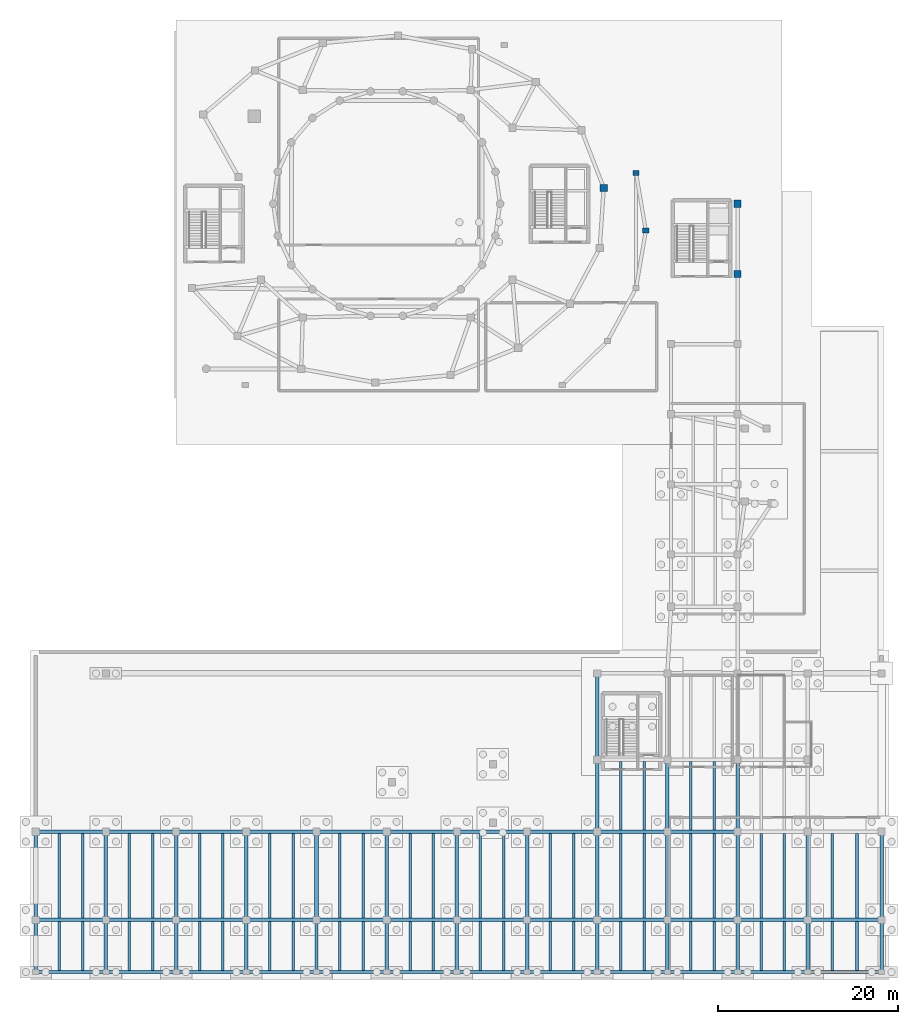
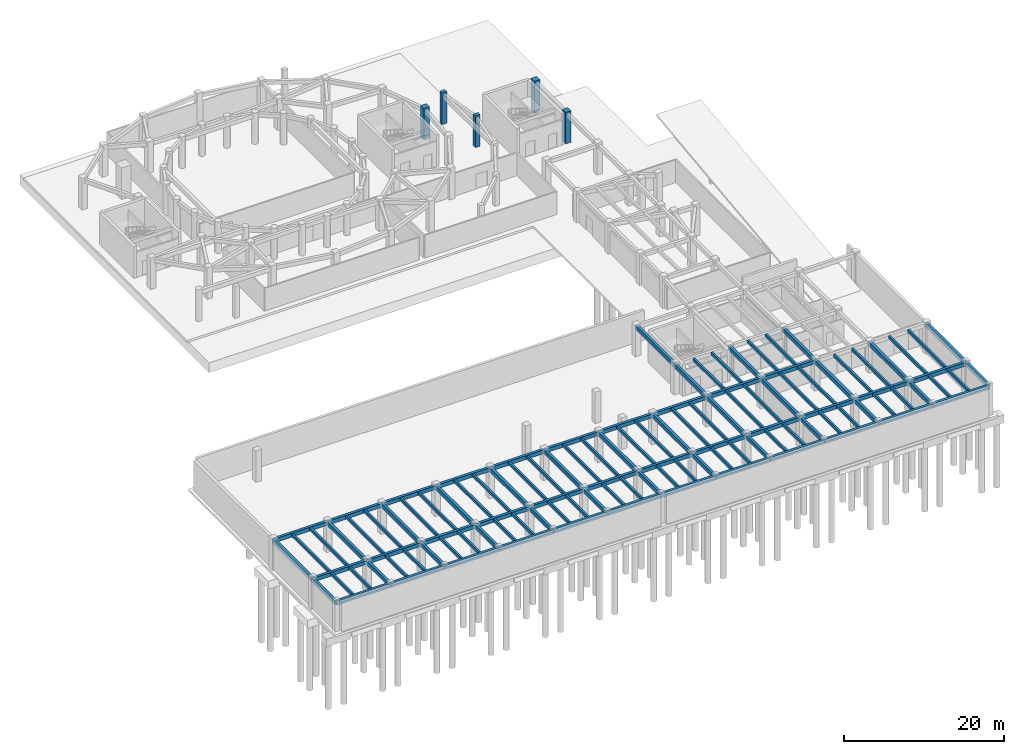
# One storey, part 3 of 11: 116 beams, 5 columns.
"""IFC4 building model written with IfcOpenShell, lengths in metres."""

from ifc_helpers import new_model, si_unit, direction, frame, origin, origin_2d, place, context, subcontext, project, spatial, rectangle, extrude, material, material_profile, profile_set, type_object, element, save


model = new_model("IFC4")

# Units and contexts
model_context = context("Model", 3, precision=1e-05, world=origin(), true_north=direction((0.0, 1.0)))
body_context = subcontext(model_context, "Body", "Model", "MODEL_VIEW")
ifc_project = project(units=[si_unit("LENGTHUNIT", "METRE"), si_unit("AREAUNIT", "SQUARE_METRE"), si_unit("VOLUMEUNIT", "CUBIC_METRE"), si_unit("PLANEANGLEUNIT", "RADIAN"), si_unit("MASSUNIT", "GRAM", prefix="KILO")], contexts=[model_context])

# Site, building, storey
site_placement = place(None, origin())
site = spatial("IfcSite", under=ifc_project, at=site_placement, CompositionType="ELEMENT")
building_placement = place(site_placement, origin())
building = spatial("IfcBuilding", under=site, at=building_placement, Name="Pelvatis Terrace Science Centre", CompositionType="ELEMENT")
storey_placement = place(building_placement, frame((0.0, 0.0, -4.800048828125)))
storey = spatial("IfcBuildingStorey", under=building, at=storey_placement, Name="B01", CompositionType="ELEMENT", Elevation=-4.800048828125)

# Columns
ifc_material_1 = material(Name="Concrete C40/50", Category="concrete")
ifc_material_profile_1 = material_profile(ifc_material_1, rectangle(XDim=0.699951171875, YDim=0.550048828125, at=origin_2d()), Name="RC-COL 700x550")
ifc_profile_set_1 = profile_set([ifc_material_profile_1], Name="Concrete C40/50")
column_type_1 = type_object("IfcColumnType", Name="COL-RC-700x550", PredefinedType="COLUMN", material=ifc_profile_set_1)
for number, where, z_axis, x_axis, name in (
    (1, (138.0, 82.800048828125, 0.0), (0.0, 0.0, 1.0), (1.0, 0.0, 0.0), "Column V1E-ST-01 (B01)"),
    (2, (136.910400390625, 89.1953125, 0.0), (0.0, 0.0, 1.0), (1.0, 0.0, 0.0), "Column V1E-ST-02 (B01)"),
):
    element("IfcColumn", number, at=place(storey_placement, frame(where, z_axis=z_axis, x_axis=x_axis)), inside=storey, type_object=column_type_1, Name=name, PredefinedType="COLUMN", context=body_context, shape_type="SweptSolid", body=[
        extrude(rectangle(XDim=0.699951171875, YDim=0.550048828125, at=origin_2d()), origin(), (0.0, 0.0, 1.0), 4.800048828125),
    ])
ifc_material_2 = material(Name="Concrete C40/50", Category="concrete")
ifc_material_profile_2 = material_profile(ifc_material_2, rectangle(XDim=0.800048828125, YDim=0.800048828125, at=origin_2d()), Name="RC-COL 800x800")
ifc_profile_set_2 = profile_set([ifc_material_profile_2], Name="Concrete C40/50")
column_type_2 = type_object("IfcColumnType", Name="COL-RC-800x800", PredefinedType="COLUMN", material=ifc_profile_set_2)
for number, where, z_axis, x_axis, name in (
    (3, (133.31884765625, 87.552001953125, 0.0), (0.0, 0.0, 1.0), (1.0, 0.0, 0.0), "Column V1E-RF-01 (B01)"),
    (4, (148.199951171875, 78.0, 0.0), (0.0, 0.0, 1.0), (1.0, 0.0, 0.0), "Column V5G-E-3-6 (B01)"),
    (5, (148.199951171875, 85.800048828125, 0.0), (0.0, 0.0, 1.0), (1.0, 0.0, 0.0), "Column V5G-E-3-7 (B01)"),
):
    element("IfcColumn", number, at=place(storey_placement, frame(where, z_axis=z_axis, x_axis=x_axis)), inside=storey, type_object=column_type_2, Name=name, PredefinedType="COLUMN", context=body_context, shape_type="SweptSolid", body=[
        extrude(rectangle(XDim=0.800048828125, YDim=0.800048828125, at=origin_2d()), origin(), (0.0, 0.0, 1.0), 4.800048828125),
    ])

# Beams
ifc_material_3 = material(Name="Concrete C35/45", Category="concrete")
ifc_material_profile_3 = material_profile(ifc_material_3, rectangle(XDim=0.3798828125, YDim=0.580078125, at=origin_2d()), Name="RC-BM 380x580")
ifc_profile_set_3 = profile_set([ifc_material_profile_3], Name="Concrete C35/45")
beam_type_1 = type_object("IfcBeamType", Name="BM-RC-380x580", PredefinedType="BEAM", material=ifc_profile_set_3)
beam_1_placement = place(storey_placement, frame((70.199951171875, 0.39990234375, 4.22998046875), z_axis=(0.0, 1.0, 0.0), x_axis=(-1.0, 0.0, 0.0)))
element("IfcBeam", 6, at=beam_1_placement, inside=storey, type_object=beam_type_1, Name="Beam BM-B01-2071", PredefinedType="BEAM", context=body_context, shape_type="SweptSolid", body=[
    extrude(rectangle(XDim=0.3798828125, YDim=0.580078125, at=origin_2d()), origin(), (0.0, 0.0, 1.0), 5.800048828125),
])
for number, where, z_axis, x_axis, name in (
    (7, (70.199951171875, 6.199951171875, 4.22998046875), (1.0, 0.0, 0.0), (0.0, 1.0, 0.0), "Beam BM-B01-2074"),
    (8, (70.199951171875, 16.0, 4.22998046875), (1.0, 0.0, 0.0), (0.0, 1.0, 0.0), "Beam BM-B01-2075"),
):
    element("IfcBeam", number, at=place(storey_placement, frame(where, z_axis=z_axis, x_axis=x_axis)), inside=storey, type_object=beam_type_1, Name=name, PredefinedType="BEAM", context=body_context, shape_type="SweptSolid", body=[
        extrude(rectangle(XDim=0.3798828125, YDim=0.580078125, at=origin_2d()), origin(), (0.0, 0.0, 1.0), 7.800048828125),
    ])
beam_2_placement = place(storey_placement, frame((78.0, 0.39990234375, 4.22998046875), z_axis=(0.0, 1.0, 0.0), x_axis=(-1.0, 0.0, 0.0)))
element("IfcBeam", 9, at=beam_2_placement, inside=storey, type_object=beam_type_1, Name="Beam BM-B01-2076", PredefinedType="BEAM", context=body_context, shape_type="SweptSolid", body=[
    extrude(rectangle(XDim=0.3798828125, YDim=0.580078125, at=origin_2d()), origin(), (0.0, 0.0, 1.0), 5.800048828125),
])
for number, where, z_axis, x_axis, name in (
    (10, (78.0, 6.199951171875, 4.22998046875), (1.0, 0.0, 0.0), (0.0, 1.0, 0.0), "Beam BM-B01-2079"),
    (11, (78.0, 16.0, 4.22998046875), (1.0, 0.0, 0.0), (0.0, 1.0, 0.0), "Beam BM-B01-2080"),
):
    element("IfcBeam", number, at=place(storey_placement, frame(where, z_axis=z_axis, x_axis=x_axis)), inside=storey, type_object=beam_type_1, Name=name, PredefinedType="BEAM", context=body_context, shape_type="SweptSolid", body=[
        extrude(rectangle(XDim=0.3798828125, YDim=0.580078125, at=origin_2d()), origin(), (0.0, 0.0, 1.0), 7.800048828125),
    ])
beam_3_placement = place(storey_placement, frame((85.800048828125, 0.39990234375, 4.22998046875), z_axis=(0.0, 1.0, 0.0), x_axis=(-1.0, 0.0, 0.0)))
element("IfcBeam", 12, at=beam_3_placement, inside=storey, type_object=beam_type_1, Name="Beam BM-B01-2081", PredefinedType="BEAM", context=body_context, shape_type="SweptSolid", body=[
    extrude(rectangle(XDim=0.3798828125, YDim=0.580078125, at=origin_2d()), origin(), (0.0, 0.0, 1.0), 5.800048828125),
])
for number, where, z_axis, x_axis, name in (
    (13, (85.800048828125, 6.199951171875, 4.22998046875), (1.0, 0.0, 0.0), (0.0, 1.0, 0.0), "Beam BM-B01-2084"),
    (14, (85.800048828125, 16.0, 4.22998046875), (1.0, 0.0, 0.0), (0.0, 1.0, 0.0), "Beam BM-B01-2085"),
):
    element("IfcBeam", number, at=place(storey_placement, frame(where, z_axis=z_axis, x_axis=x_axis)), inside=storey, type_object=beam_type_1, Name=name, PredefinedType="BEAM", context=body_context, shape_type="SweptSolid", body=[
        extrude(rectangle(XDim=0.3798828125, YDim=0.580078125, at=origin_2d()), origin(), (0.0, 0.0, 1.0), 7.800048828125),
    ])
beam_4_placement = place(storey_placement, frame((93.60009765625, 0.39990234375, 4.22998046875), z_axis=(0.0, 1.0, 0.0), x_axis=(-1.0, 0.0, 0.0)))
element("IfcBeam", 15, at=beam_4_placement, inside=storey, type_object=beam_type_1, Name="Beam BM-B01-2086", PredefinedType="BEAM", context=body_context, shape_type="SweptSolid", body=[
    extrude(rectangle(XDim=0.3798828125, YDim=0.580078125, at=origin_2d()), origin(), (0.0, 0.0, 1.0), 5.800048828125),
])
for number, where, z_axis, x_axis, name in (
    (16, (93.60009765625, 6.199951171875, 4.22998046875), (1.0, 0.0, 0.0), (0.0, 1.0, 0.0), "Beam BM-B01-2089"),
    (17, (93.60009765625, 16.0, 4.22998046875), (1.0, 0.0, 0.0), (0.0, 1.0, 0.0), "Beam BM-B01-2090"),
):
    element("IfcBeam", number, at=place(storey_placement, frame(where, z_axis=z_axis, x_axis=x_axis)), inside=storey, type_object=beam_type_1, Name=name, PredefinedType="BEAM", context=body_context, shape_type="SweptSolid", body=[
        extrude(rectangle(XDim=0.3798828125, YDim=0.580078125, at=origin_2d()), origin(), (0.0, 0.0, 1.0), 7.7998046875),
    ])
beam_5_placement = place(storey_placement, frame((101.39990234375, 0.39990234375, 4.22998046875), z_axis=(0.0, 1.0, 0.0), x_axis=(-1.0, 0.0, 0.0)))
element("IfcBeam", 18, at=beam_5_placement, inside=storey, type_object=beam_type_1, Name="Beam BM-B01-2091", PredefinedType="BEAM", context=body_context, shape_type="SweptSolid", body=[
    extrude(rectangle(XDim=0.3798828125, YDim=0.580078125, at=origin_2d()), origin(), (0.0, 0.0, 1.0), 5.800048828125),
])
for number, where, z_axis, x_axis, name in (
    (19, (101.39990234375, 6.199951171875, 4.22998046875), (1.0, 0.0, 0.0), (0.0, 1.0, 0.0), "Beam BM-B01-2094"),
    (20, (101.39990234375, 16.0, 4.22998046875), (1.0, 0.0, 0.0), (0.0, 1.0, 0.0), "Beam BM-B01-2095"),
):
    element("IfcBeam", number, at=place(storey_placement, frame(where, z_axis=z_axis, x_axis=x_axis)), inside=storey, type_object=beam_type_1, Name=name, PredefinedType="BEAM", context=body_context, shape_type="SweptSolid", body=[
        extrude(rectangle(XDim=0.3798828125, YDim=0.580078125, at=origin_2d()), origin(), (0.0, 0.0, 1.0), 7.800048828125),
    ])
beam_6_placement = place(storey_placement, frame((109.199951171875, 0.39990234375, 4.22998046875), z_axis=(0.0, 1.0, 0.0), x_axis=(-1.0, 0.0, 0.0)))
element("IfcBeam", 21, at=beam_6_placement, inside=storey, type_object=beam_type_1, Name="Beam BM-B01-2096", PredefinedType="BEAM", context=body_context, shape_type="SweptSolid", body=[
    extrude(rectangle(XDim=0.3798828125, YDim=0.580078125, at=origin_2d()), origin(), (0.0, 0.0, 1.0), 5.800048828125),
])
for number, where, z_axis, x_axis, name in (
    (22, (109.199951171875, 6.199951171875, 4.22998046875), (1.0, 0.0, 0.0), (0.0, 1.0, 0.0), "Beam BM-B01-2099"),
    (23, (109.199951171875, 16.0, 4.22998046875), (1.0, 0.0, 0.0), (0.0, 1.0, 0.0), "Beam BM-B01-2100"),
):
    element("IfcBeam", number, at=place(storey_placement, frame(where, z_axis=z_axis, x_axis=x_axis)), inside=storey, type_object=beam_type_1, Name=name, PredefinedType="BEAM", context=body_context, shape_type="SweptSolid", body=[
        extrude(rectangle(XDim=0.3798828125, YDim=0.580078125, at=origin_2d()), origin(), (0.0, 0.0, 1.0), 7.800048828125),
    ])
beam_7_placement = place(storey_placement, frame((117.0, 0.39990234375, 4.22998046875), z_axis=(0.0, 1.0, 0.0), x_axis=(-1.0, 0.0, 0.0)))
element("IfcBeam", 24, at=beam_7_placement, inside=storey, type_object=beam_type_1, Name="Beam BM-B01-2101", PredefinedType="BEAM", context=body_context, shape_type="SweptSolid", body=[
    extrude(rectangle(XDim=0.3798828125, YDim=0.580078125, at=origin_2d()), origin(), (0.0, 0.0, 1.0), 5.800048828125),
])
for number, where, z_axis, x_axis, name in (
    (25, (117.0, 6.199951171875, 4.22998046875), (1.0, 0.0, 0.0), (0.0, 1.0, 0.0), "Beam BM-B01-2104"),
    (26, (117.0, 16.0, 4.22998046875), (1.0, 0.0, 0.0), (0.0, 1.0, 0.0), "Beam BM-B01-2105"),
):
    element("IfcBeam", number, at=place(storey_placement, frame(where, z_axis=z_axis, x_axis=x_axis)), inside=storey, type_object=beam_type_1, Name=name, PredefinedType="BEAM", context=body_context, shape_type="SweptSolid", body=[
        extrude(rectangle(XDim=0.3798828125, YDim=0.580078125, at=origin_2d()), origin(), (0.0, 0.0, 1.0), 7.800048828125),
    ])
beam_8_placement = place(storey_placement, frame((124.800048828125, 0.39990234375, 4.22998046875), z_axis=(0.0, 1.0, 0.0), x_axis=(-1.0, 0.0, 0.0)))
element("IfcBeam", 27, at=beam_8_placement, inside=storey, type_object=beam_type_1, Name="Beam BM-B01-2106", PredefinedType="BEAM", context=body_context, shape_type="SweptSolid", body=[
    extrude(rectangle(XDim=0.3798828125, YDim=0.580078125, at=origin_2d()), origin(), (0.0, 0.0, 1.0), 5.800048828125),
])
for number, where, z_axis, x_axis, name in (
    (28, (124.800048828125, 6.199951171875, 4.22998046875), (1.0, 0.0, 0.0), (0.0, 1.0, 0.0), "Beam BM-B01-2109"),
    (29, (124.800048828125, 16.0, 4.22998046875), (1.0, 0.0, 0.0), (0.0, 1.0, 0.0), "Beam BM-B01-2110"),
):
    element("IfcBeam", number, at=place(storey_placement, frame(where, z_axis=z_axis, x_axis=x_axis)), inside=storey, type_object=beam_type_1, Name=name, PredefinedType="BEAM", context=body_context, shape_type="SweptSolid", body=[
        extrude(rectangle(XDim=0.3798828125, YDim=0.580078125, at=origin_2d()), origin(), (0.0, 0.0, 1.0), 7.800048828125),
    ])
beam_9_placement = place(storey_placement, frame((132.60009765625, 0.39990234375, 4.22998046875), z_axis=(0.0, 1.0, 0.0), x_axis=(-1.0, 0.0, 0.0)))
element("IfcBeam", 30, at=beam_9_placement, inside=storey, type_object=beam_type_1, Name="Beam BM-B01-2111", PredefinedType="BEAM", context=body_context, shape_type="SweptSolid", body=[
    extrude(rectangle(XDim=0.3798828125, YDim=0.580078125, at=origin_2d()), origin(), (0.0, 0.0, 1.0), 5.800048828125),
])
for number, where, z_axis, x_axis, name in (
    (31, (132.60009765625, 6.199951171875, 4.22998046875), (1.0, 0.0, 0.0), (0.0, 1.0, 0.0), "Beam BM-B01-2114"),
    (32, (132.60009765625, 16.0, 4.22998046875), (1.0, 0.0, 0.0), (0.0, 1.0, 0.0), "Beam BM-B01-2116"),
):
    element("IfcBeam", number, at=place(storey_placement, frame(where, z_axis=z_axis, x_axis=x_axis)), inside=storey, type_object=beam_type_1, Name=name, PredefinedType="BEAM", context=body_context, shape_type="SweptSolid", body=[
        extrude(rectangle(XDim=0.3798828125, YDim=0.580078125, at=origin_2d()), origin(), (0.0, 0.0, 1.0), 7.7998046875),
    ])
beam_10_placement = place(storey_placement, frame((140.39990234375, 0.39990234375, 4.22998046875), z_axis=(0.0, 1.0, 0.0), x_axis=(-1.0, 0.0, 0.0)))
element("IfcBeam", 33, at=beam_10_placement, inside=storey, type_object=beam_type_1, Name="Beam BM-B01-2120", PredefinedType="BEAM", context=body_context, shape_type="SweptSolid", body=[
    extrude(rectangle(XDim=0.3798828125, YDim=0.580078125, at=origin_2d()), origin(), (0.0, 0.0, 1.0), 5.800048828125),
])
for number, where, z_axis, x_axis, name in (
    (34, (140.39990234375, 6.199951171875, 4.22998046875), (1.0, 0.0, 0.0), (0.0, 1.0, 0.0), "Beam BM-B01-2123"),
    (35, (140.39990234375, 16.0, 4.22998046875), (1.0, 0.0, 0.0), (0.0, 1.0, 0.0), "Beam BM-B01-2125"),
):
    element("IfcBeam", number, at=place(storey_placement, frame(where, z_axis=z_axis, x_axis=x_axis)), inside=storey, type_object=beam_type_1, Name=name, PredefinedType="BEAM", context=body_context, shape_type="SweptSolid", body=[
        extrude(rectangle(XDim=0.3798828125, YDim=0.580078125, at=origin_2d()), origin(), (0.0, 0.0, 1.0), 7.800048828125),
    ])
beam_11_placement = place(storey_placement, frame((148.199951171875, 0.39990234375, 4.22998046875), z_axis=(0.0, 1.0, 0.0), x_axis=(-1.0, 0.0, 0.0)))
element("IfcBeam", 36, at=beam_11_placement, inside=storey, type_object=beam_type_1, Name="Beam BM-B01-2130", PredefinedType="BEAM", context=body_context, shape_type="SweptSolid", body=[
    extrude(rectangle(XDim=0.3798828125, YDim=0.580078125, at=origin_2d()), origin(), (0.0, 0.0, 1.0), 5.800048828125),
])
beam_12_placement = place(storey_placement, frame((148.199951171875, 6.199951171875, 4.22998046875), z_axis=(1.0, 0.0, 0.0), x_axis=(0.0, 1.0, 0.0)))
element("IfcBeam", 37, at=beam_12_placement, inside=storey, type_object=beam_type_1, Name="Beam BM-B01-2133", PredefinedType="BEAM", context=body_context, shape_type="SweptSolid", body=[
    extrude(rectangle(XDim=0.3798828125, YDim=0.580078125, at=origin_2d()), origin(), (0.0, 0.0, 1.0), 7.800048828125),
])
for number, where, z_axis, x_axis, name in (
    (38, (156.0, 0.39990234375, 4.22998046875), (0.0, 1.0, 0.0), (-1.0, 0.0, 0.0), "Beam BM-B01-2140"),
    (39, (164.199951171875, 0.39990234375, 4.22998046875), (0.0, 1.0, 0.0), (-1.0, 0.0, 0.0), "Beam BM-B01-2148"),
):
    element("IfcBeam", number, at=place(storey_placement, frame(where, z_axis=z_axis, x_axis=x_axis)), inside=storey, type_object=beam_type_1, Name=name, PredefinedType="BEAM", context=body_context, shape_type="SweptSolid", body=[
        extrude(rectangle(XDim=0.3798828125, YDim=0.580078125, at=origin_2d()), origin(), (0.0, 0.0, 1.0), 5.800048828125),
    ])
ifc_material_4 = material(Name="Concrete C35/45", Category="concrete")
ifc_material_profile_4 = material_profile(ifc_material_4, rectangle(XDim=0.39990234375, YDim=0.60009765625, at=origin_2d()), Name="RC-BM 400x600")
ifc_profile_set_4 = profile_set([ifc_material_profile_4], Name="Concrete C35/45")
beam_type_2 = type_object("IfcBeamType", Name="BM-RC-400x600", PredefinedType="BEAM", material=ifc_profile_set_4)
for number, where, z_axis, x_axis, name in (
    (40, (70.199951171875, 6.199951171875, 4.219970703125), (0.0, 1.0, 0.0), (-1.0, 0.0, 0.0), "Beam BM-B01-2073"),
    (41, (78.0, 6.199951171875, 4.219970703125), (0.0, 1.0, 0.0), (-1.0, 0.0, 0.0), "Beam BM-B01-2078"),
    (42, (85.800048828125, 6.199951171875, 4.219970703125), (0.0, 1.0, 0.0), (-1.0, 0.0, 0.0), "Beam BM-B01-2083"),
    (43, (93.60009765625, 6.199951171875, 4.219970703125), (0.0, 1.0, 0.0), (-1.0, 0.0, 0.0), "Beam BM-B01-2088"),
    (44, (101.39990234375, 6.199951171875, 4.219970703125), (0.0, 1.0, 0.0), (-1.0, 0.0, 0.0), "Beam BM-B01-2093"),
    (45, (109.199951171875, 6.199951171875, 4.219970703125), (0.0, 1.0, 0.0), (-1.0, 0.0, 0.0), "Beam BM-B01-2098"),
    (46, (117.0, 6.199951171875, 4.219970703125), (0.0, 1.0, 0.0), (-1.0, 0.0, 0.0), "Beam BM-B01-2103"),
    (47, (124.800048828125, 6.199951171875, 4.219970703125), (0.0, 1.0, 0.0), (-1.0, 0.0, 0.0), "Beam BM-B01-2108"),
    (48, (132.60009765625, 6.199951171875, 4.219970703125), (0.0, 1.0, 0.0), (-1.0, 0.0, 0.0), "Beam BM-B01-2113"),
):
    element("IfcBeam", number, at=place(storey_placement, frame(where, z_axis=z_axis, x_axis=x_axis)), inside=storey, type_object=beam_type_2, Name=name, PredefinedType="BEAM", context=body_context, shape_type="SweptSolid", body=[
        extrude(rectangle(XDim=0.39990234375, YDim=0.60009765625, at=origin_2d()), origin(), (0.0, 0.0, 1.0), 9.800048828125),
    ])
beam_13_placement = place(storey_placement, frame((132.60009765625, 16.0, 4.219970703125), z_axis=(0.0, 1.0, 0.0), x_axis=(-1.0, 0.0, 0.0)))
element("IfcBeam", 49, at=beam_13_placement, inside=storey, type_object=beam_type_2, Name="Beam BM-B01-2115", PredefinedType="BEAM", context=body_context, shape_type="SweptSolid", body=[
    extrude(rectangle(XDim=0.39990234375, YDim=0.60009765625, at=origin_2d()), origin(), (0.0, 0.0, 1.0), 8.0),
])
beam_14_placement = place(storey_placement, frame((132.60009765625, 24.0, 4.219970703125), z_axis=(0.0, 1.0, 0.0), x_axis=(-1.0, 0.0, 0.0)))
element("IfcBeam", 50, at=beam_14_placement, inside=storey, type_object=beam_type_2, Name="Beam BM-B01-2117", PredefinedType="BEAM", context=body_context, shape_type="SweptSolid", body=[
    extrude(rectangle(XDim=0.39990234375, YDim=0.60009765625, at=origin_2d()), origin(), (0.0, 0.0, 1.0), 9.60009765625),
])
beam_15_placement = place(storey_placement, frame((140.39990234375, 6.199951171875, 4.219970703125), z_axis=(0.0, 1.0, 0.0), x_axis=(-1.0, 0.0, 0.0)))
element("IfcBeam", 51, at=beam_15_placement, inside=storey, type_object=beam_type_2, Name="Beam BM-B01-2122", PredefinedType="BEAM", context=body_context, shape_type="SweptSolid", body=[
    extrude(rectangle(XDim=0.39990234375, YDim=0.60009765625, at=origin_2d()), origin(), (0.0, 0.0, 1.0), 9.800048828125),
])
beam_16_placement = place(storey_placement, frame((140.39990234375, 16.0, 4.219970703125), z_axis=(0.0, 1.0, 0.0), x_axis=(-1.0, 0.0, 0.0)))
element("IfcBeam", 52, at=beam_16_placement, inside=storey, type_object=beam_type_2, Name="Beam BM-B01-2124", PredefinedType="BEAM", context=body_context, shape_type="SweptSolid", body=[
    extrude(rectangle(XDim=0.39990234375, YDim=0.60009765625, at=origin_2d()), origin(), (0.0, 0.0, 1.0), 8.0),
])
beam_17_placement = place(storey_placement, frame((148.199951171875, 6.199951171875, 4.219970703125), z_axis=(0.0, 1.0, 0.0), x_axis=(-1.0, 0.0, 0.0)))
element("IfcBeam", 53, at=beam_17_placement, inside=storey, type_object=beam_type_2, Name="Beam BM-B01-2132", PredefinedType="BEAM", context=body_context, shape_type="SweptSolid", body=[
    extrude(rectangle(XDim=0.39990234375, YDim=0.60009765625, at=origin_2d()), origin(), (0.0, 0.0, 1.0), 9.800048828125),
])
beam_18_placement = place(storey_placement, frame((148.199951171875, 16.0, 4.219970703125), z_axis=(0.0, 1.0, 0.0), x_axis=(-1.0, 0.0, 0.0)))
element("IfcBeam", 54, at=beam_18_placement, inside=storey, type_object=beam_type_2, Name="Beam BM-B01-2134", PredefinedType="BEAM", context=body_context, shape_type="SweptSolid", body=[
    extrude(rectangle(XDim=0.39990234375, YDim=0.60009765625, at=origin_2d()), origin(), (0.0, 0.0, 1.0), 8.0),
])
beam_19_placement = place(storey_placement, frame((156.0, 6.199951171875, 4.219970703125), z_axis=(0.0, 1.0, 0.0), x_axis=(-1.0, 0.0, 0.0)))
element("IfcBeam", 55, at=beam_19_placement, inside=storey, type_object=beam_type_2, Name="Beam BM-B01-2142", PredefinedType="BEAM", context=body_context, shape_type="SweptSolid", body=[
    extrude(rectangle(XDim=0.39990234375, YDim=0.60009765625, at=origin_2d()), origin(), (0.0, 0.0, 1.0), 9.800048828125),
])
beam_20_placement = place(storey_placement, frame((156.0, 6.199951171875, 4.219970703125), z_axis=(1.0, 0.0, 0.0), x_axis=(0.0, 1.0, 0.0)))
element("IfcBeam", 56, at=beam_20_placement, inside=storey, type_object=beam_type_2, Name="Beam BM-B01-2143", PredefinedType="BEAM", context=body_context, shape_type="SweptSolid", body=[
    extrude(rectangle(XDim=0.39990234375, YDim=0.60009765625, at=origin_2d()), origin(), (0.0, 0.0, 1.0), 8.199951171875),
])
beam_21_placement = place(storey_placement, frame((164.199951171875, 6.199951171875, 4.219970703125), z_axis=(0.0, 1.0, 0.0), x_axis=(-1.0, 0.0, 0.0)))
element("IfcBeam", 57, at=beam_21_placement, inside=storey, type_object=beam_type_2, Name="Beam BM-B01-2149", PredefinedType="BEAM", context=body_context, shape_type="SweptSolid", body=[
    extrude(rectangle(XDim=0.39990234375, YDim=0.60009765625, at=origin_2d()), origin(), (0.0, 0.0, 1.0), 9.800048828125),
])
ifc_material_5 = material(Name="Concrete C35/45", Category="concrete")
ifc_material_profile_5 = material_profile(ifc_material_5, rectangle(XDim=0.280029296875, YDim=0.43994140625, at=origin_2d()), Name="RC-JST 280x440")
ifc_profile_set_5 = profile_set([ifc_material_profile_5], Name="Concrete C35/45")
beam_type_3 = type_object("IfcBeamType", Name="JST-RC-280x440", PredefinedType="JOIST", material=ifc_profile_set_5)
for number, where, z_axis, x_axis, name in (
    (58, (72.800048828125, 0.580078125, 4.300048828125), (0.0, 1.0, 0.0), (-1.0, 0.0, 0.0), "Secondary floor joist J-B01-2001"),
    (59, (75.39990234375, 0.580078125, 4.300048828125), (0.0, 1.0, 0.0), (-1.0, 0.0, 0.0), "Secondary floor joist J-B01-2002"),
    (60, (80.60009765625, 0.580078125, 4.300048828125), (0.0, 1.0, 0.0), (-1.0, 0.0, 0.0), "Secondary floor joist J-B01-2003"),
    (61, (83.199951171875, 0.580078125, 4.300048828125), (0.0, 1.0, 0.0), (-1.0, 0.0, 0.0), "Secondary floor joist J-B01-2004"),
    (62, (88.39990234375, 0.580078125, 4.300048828125), (0.0, 1.0, 0.0), (-1.0, 0.0, 0.0), "Secondary floor joist J-B01-2005"),
    (63, (91.0, 0.580078125, 4.300048828125), (0.0, 1.0, 0.0), (-1.0, 0.0, 0.0), "Secondary floor joist J-B01-2006"),
    (64, (96.199951171875, 0.580078125, 4.300048828125), (0.0, 1.0, 0.0), (-1.0, 0.0, 0.0), "Secondary floor joist J-B01-2007"),
    (65, (98.800048828125, 0.580078125, 4.300048828125), (0.0, 1.0, 0.0), (-1.0, 0.0, 0.0), "Secondary floor joist J-B01-2008"),
    (66, (104.0, 0.580078125, 4.300048828125), (0.0, 1.0, 0.0), (-1.0, 0.0, 0.0), "Secondary floor joist J-B01-2009"),
    (67, (106.60009765625, 0.580078125, 4.300048828125), (0.0, 1.0, 0.0), (-1.0, 0.0, 0.0), "Secondary floor joist J-B01-2010"),
    (68, (111.800048828125, 0.580078125, 4.300048828125), (0.0, 1.0, 0.0), (-1.0, 0.0, 0.0), "Secondary floor joist J-B01-2011"),
    (69, (114.39990234375, 0.580078125, 4.300048828125), (0.0, 1.0, 0.0), (-1.0, 0.0, 0.0), "Secondary floor joist J-B01-2012"),
    (70, (119.60009765625, 0.580078125, 4.300048828125), (0.0, 1.0, 0.0), (-1.0, 0.0, 0.0), "Secondary floor joist J-B01-2013"),
    (71, (122.199951171875, 0.580078125, 4.300048828125), (0.0, 1.0, 0.0), (-1.0, 0.0, 0.0), "Secondary floor joist J-B01-2014"),
    (72, (127.39990234375, 0.580078125, 4.300048828125), (0.0, 1.0, 0.0), (-1.0, 0.0, 0.0), "Secondary floor joist J-B01-2015"),
    (73, (130.0, 0.580078125, 4.300048828125), (0.0, 1.0, 0.0), (-1.0, 0.0, 0.0), "Secondary floor joist J-B01-2016"),
    (74, (135.199951171875, 0.580078125, 4.300048828125), (0.0, 1.0, 0.0), (-1.0, 0.0, 0.0), "Secondary floor joist J-B01-2017"),
    (75, (137.800048828125, 0.580078125, 4.300048828125), (0.0, 1.0, 0.0), (-1.0, 0.0, 0.0), "Secondary floor joist J-B01-2018"),
    (76, (143.0, 0.580078125, 4.300048828125), (0.0, 1.0, 0.0), (-1.0, 0.0, 0.0), "Secondary floor joist J-B01-2019"),
    (77, (145.60009765625, 0.580078125, 4.300048828125), (0.0, 1.0, 0.0), (-1.0, 0.0, 0.0), "Secondary floor joist J-B01-2020"),
    (78, (150.800048828125, 0.580078125, 4.300048828125), (0.0, 1.0, 0.0), (-1.0, 0.0, 0.0), "Secondary floor joist J-B01-2021"),
    (79, (153.39990234375, 0.580078125, 4.300048828125), (0.0, 1.0, 0.0), (-1.0, 0.0, 0.0), "Secondary floor joist J-B01-2022"),
):
    element("IfcBeam", number, at=place(storey_placement, frame(where, z_axis=z_axis, x_axis=x_axis)), inside=storey, type_object=beam_type_3, Name=name, PredefinedType="JOIST", context=body_context, shape_type="SweptSolid", body=[
        extrude(rectangle(XDim=0.280029296875, YDim=0.43994140625, at=origin_2d()), origin(), (0.0, 0.0, 1.0), 5.429931640625),
    ])
for number, where, z_axis, x_axis, name in (
    (80, (158.7333984375, 0.580078125, 4.300048828125), (0.0, 1.0, 0.0), (-1.0, 0.0, 0.0), "Secondary floor joist J-B01-2023"),
    (81, (161.466796875, 0.580078125, 4.300048828125), (0.0, 1.0, 0.0), (-1.0, 0.0, 0.0), "Secondary floor joist J-B01-2024"),
):
    element("IfcBeam", number, at=place(storey_placement, frame(where, z_axis=z_axis, x_axis=x_axis)), inside=storey, type_object=beam_type_3, Name=name, PredefinedType="JOIST", context=body_context, shape_type="SweptSolid", body=[
        extrude(rectangle(XDim=0.280029296875, YDim=0.43994140625, at=origin_2d()), origin(), (0.0, 0.0, 1.0), 5.419921875),
    ])
for number, where, z_axis, x_axis, name in (
    (82, (72.800048828125, 6.389892578125, 4.300048828125), (0.0, 1.0, 0.0), (-1.0, 0.0, 0.0), "Secondary floor joist J-B01-2025"),
    (83, (75.39990234375, 6.389892578125, 4.300048828125), (0.0, 1.0, 0.0), (-1.0, 0.0, 0.0), "Secondary floor joist J-B01-2026"),
    (84, (80.60009765625, 6.389892578125, 4.300048828125), (0.0, 1.0, 0.0), (-1.0, 0.0, 0.0), "Secondary floor joist J-B01-2027"),
    (85, (83.199951171875, 6.389892578125, 4.300048828125), (0.0, 1.0, 0.0), (-1.0, 0.0, 0.0), "Secondary floor joist J-B01-2028"),
    (86, (88.39990234375, 6.389892578125, 4.300048828125), (0.0, 1.0, 0.0), (-1.0, 0.0, 0.0), "Secondary floor joist J-B01-2029"),
    (87, (91.0, 6.389892578125, 4.300048828125), (0.0, 1.0, 0.0), (-1.0, 0.0, 0.0), "Secondary floor joist J-B01-2030"),
    (88, (96.199951171875, 6.389892578125, 4.300048828125), (0.0, 1.0, 0.0), (-1.0, 0.0, 0.0), "Secondary floor joist J-B01-2031"),
    (89, (98.800048828125, 6.389892578125, 4.300048828125), (0.0, 1.0, 0.0), (-1.0, 0.0, 0.0), "Secondary floor joist J-B01-2032"),
    (90, (104.0, 6.389892578125, 4.300048828125), (0.0, 1.0, 0.0), (-1.0, 0.0, 0.0), "Secondary floor joist J-B01-2033"),
    (91, (106.60009765625, 6.389892578125, 4.300048828125), (0.0, 1.0, 0.0), (-1.0, 0.0, 0.0), "Secondary floor joist J-B01-2034"),
    (92, (111.800048828125, 6.389892578125, 4.300048828125), (0.0, 1.0, 0.0), (-1.0, 0.0, 0.0), "Secondary floor joist J-B01-2035"),
    (93, (114.39990234375, 6.389892578125, 4.300048828125), (0.0, 1.0, 0.0), (-1.0, 0.0, 0.0), "Secondary floor joist J-B01-2036"),
    (94, (119.60009765625, 6.389892578125, 4.300048828125), (0.0, 1.0, 0.0), (-1.0, 0.0, 0.0), "Secondary floor joist J-B01-2037"),
    (95, (122.199951171875, 6.389892578125, 4.300048828125), (0.0, 1.0, 0.0), (-1.0, 0.0, 0.0), "Secondary floor joist J-B01-2038"),
    (96, (127.39990234375, 6.389892578125, 4.300048828125), (0.0, 1.0, 0.0), (-1.0, 0.0, 0.0), "Secondary floor joist J-B01-2039"),
    (97, (130.0, 6.389892578125, 4.300048828125), (0.0, 1.0, 0.0), (-1.0, 0.0, 0.0), "Secondary floor joist J-B01-2040"),
    (98, (135.199951171875, 6.389892578125, 4.300048828125), (0.0, 1.0, 0.0), (-1.0, 0.0, 0.0), "Secondary floor joist J-B01-2041"),
    (99, (137.800048828125, 6.389892578125, 4.300048828125), (0.0, 1.0, 0.0), (-1.0, 0.0, 0.0), "Secondary floor joist J-B01-2042"),
    (100, (143.0, 6.389892578125, 4.300048828125), (0.0, 1.0, 0.0), (-1.0, 0.0, 0.0), "Secondary floor joist J-B01-2043"),
    (101, (145.60009765625, 6.389892578125, 4.300048828125), (0.0, 1.0, 0.0), (-1.0, 0.0, 0.0), "Secondary floor joist J-B01-2044"),
    (102, (150.800048828125, 6.389892578125, 4.300048828125), (0.0, 1.0, 0.0), (-1.0, 0.0, 0.0), "Secondary floor joist J-B01-2045"),
    (103, (153.39990234375, 6.389892578125, 4.300048828125), (0.0, 1.0, 0.0), (-1.0, 0.0, 0.0), "Secondary floor joist J-B01-2046"),
):
    element("IfcBeam", number, at=place(storey_placement, frame(where, z_axis=z_axis, x_axis=x_axis)), inside=storey, type_object=beam_type_3, Name=name, PredefinedType="JOIST", context=body_context, shape_type="SweptSolid", body=[
        extrude(rectangle(XDim=0.280029296875, YDim=0.43994140625, at=origin_2d()), origin(), (0.0, 0.0, 1.0), 9.420166015625),
    ])
for number, where, z_axis, x_axis, name in (
    (104, (158.7333984375, 6.39990234375, 4.300048828125), (0.0, 1.0, 0.0), (-1.0, 0.0, 0.0), "Secondary floor joist J-B01-2047"),
    (105, (161.466796875, 6.39990234375, 4.300048828125), (0.0, 1.0, 0.0), (-1.0, 0.0, 0.0), "Secondary floor joist J-B01-2048"),
):
    element("IfcBeam", number, at=place(storey_placement, frame(where, z_axis=z_axis, x_axis=x_axis)), inside=storey, type_object=beam_type_3, Name=name, PredefinedType="JOIST", context=body_context, shape_type="SweptSolid", body=[
        extrude(rectangle(XDim=0.280029296875, YDim=0.43994140625, at=origin_2d()), origin(), (0.0, 0.0, 1.0), 9.400146484375),
    ])
for number, where, z_axis, x_axis, name in (
    (106, (135.199951171875, 16.18994140625, 4.300048828125), (0.0, 1.0, 0.0), (-1.0, 0.0, 0.0), "Secondary floor joist J-B01-2049"),
    (107, (137.800048828125, 16.18994140625, 4.300048828125), (0.0, 1.0, 0.0), (-1.0, 0.0, 0.0), "Secondary floor joist J-B01-2050"),
    (108, (143.0, 16.18994140625, 4.300048828125), (0.0, 1.0, 0.0), (-1.0, 0.0, 0.0), "Secondary floor joist J-B01-2051"),
    (109, (145.60009765625, 16.18994140625, 4.300048828125), (0.0, 1.0, 0.0), (-1.0, 0.0, 0.0), "Secondary floor joist J-B01-2052"),
):
    element("IfcBeam", number, at=place(storey_placement, frame(where, z_axis=z_axis, x_axis=x_axis)), inside=storey, type_object=beam_type_3, Name=name, PredefinedType="JOIST", context=body_context, shape_type="SweptSolid", body=[
        extrude(rectangle(XDim=0.280029296875, YDim=0.43994140625, at=origin_2d()), origin(), (0.0, 0.0, 1.0), 7.6201171875),
    ])
ifc_material_6 = material(Name="Concrete C35/45", Category="concrete")
ifc_material_profile_6 = material_profile(ifc_material_6, rectangle(XDim=0.360107421875, YDim=0.639892578125, at=origin_2d()), Name="RC-SPN 360x640")
ifc_profile_set_6 = profile_set([ifc_material_profile_6], Name="Concrete C35/45")
beam_type_4 = type_object("IfcBeamType", Name="SPN-RC-360x640", PredefinedType="SPANDREL", material=ifc_profile_set_6)
for number, where, z_axis, x_axis, name in (
    (110, (70.199951171875, 0.39990234375, 4.199951171875), (1.0, 0.0, 0.0), (0.0, 1.0, 0.0), "Spandrel SP-B01-2072"),
    (111, (78.0, 0.39990234375, 4.199951171875), (1.0, 0.0, 0.0), (0.0, 1.0, 0.0), "Spandrel SP-B01-2077"),
    (112, (85.800048828125, 0.39990234375, 4.199951171875), (1.0, 0.0, 0.0), (0.0, 1.0, 0.0), "Spandrel SP-B01-2082"),
):
    element("IfcBeam", number, at=place(storey_placement, frame(where, z_axis=z_axis, x_axis=x_axis)), inside=storey, type_object=beam_type_4, Name=name, PredefinedType="SPANDREL", context=body_context, shape_type="SweptSolid", body=[
        extrude(rectangle(XDim=0.360107421875, YDim=0.639892578125, at=origin_2d()), origin(), (0.0, 0.0, 1.0), 7.800048828125),
    ])
beam_22_placement = place(storey_placement, frame((93.60009765625, 0.39990234375, 4.199951171875), z_axis=(1.0, 0.0, 0.0), x_axis=(0.0, 1.0, 0.0)))
element("IfcBeam", 113, at=beam_22_placement, inside=storey, type_object=beam_type_4, Name="Spandrel SP-B01-2087", PredefinedType="SPANDREL", context=body_context, shape_type="SweptSolid", body=[
    extrude(rectangle(XDim=0.360107421875, YDim=0.639892578125, at=origin_2d()), origin(), (0.0, 0.0, 1.0), 7.7998046875),
])
for number, where, z_axis, x_axis, name in (
    (114, (101.39990234375, 0.39990234375, 4.199951171875), (1.0, 0.0, 0.0), (0.0, 1.0, 0.0), "Spandrel SP-B01-2092"),
    (115, (109.199951171875, 0.39990234375, 4.199951171875), (1.0, 0.0, 0.0), (0.0, 1.0, 0.0), "Spandrel SP-B01-2097"),
    (116, (117.0, 0.39990234375, 4.199951171875), (1.0, 0.0, 0.0), (0.0, 1.0, 0.0), "Spandrel SP-B01-2102"),
    (117, (124.800048828125, 0.39990234375, 4.199951171875), (1.0, 0.0, 0.0), (0.0, 1.0, 0.0), "Spandrel SP-B01-2107"),
):
    element("IfcBeam", number, at=place(storey_placement, frame(where, z_axis=z_axis, x_axis=x_axis)), inside=storey, type_object=beam_type_4, Name=name, PredefinedType="SPANDREL", context=body_context, shape_type="SweptSolid", body=[
        extrude(rectangle(XDim=0.360107421875, YDim=0.639892578125, at=origin_2d()), origin(), (0.0, 0.0, 1.0), 7.800048828125),
    ])
beam_23_placement = place(storey_placement, frame((132.60009765625, 0.39990234375, 4.199951171875), z_axis=(1.0, 0.0, 0.0), x_axis=(0.0, 1.0, 0.0)))
element("IfcBeam", 118, at=beam_23_placement, inside=storey, type_object=beam_type_4, Name="Spandrel SP-B01-2112", PredefinedType="SPANDREL", context=body_context, shape_type="SweptSolid", body=[
    extrude(rectangle(XDim=0.360107421875, YDim=0.639892578125, at=origin_2d()), origin(), (0.0, 0.0, 1.0), 7.7998046875),
])
for number, where, z_axis, x_axis, name in (
    (119, (140.39990234375, 0.39990234375, 4.199951171875), (1.0, 0.0, 0.0), (0.0, 1.0, 0.0), "Spandrel SP-B01-2121"),
    (120, (148.199951171875, 0.39990234375, 4.199951171875), (1.0, 0.0, 0.0), (0.0, 1.0, 0.0), "Spandrel SP-B01-2131"),
):
    element("IfcBeam", number, at=place(storey_placement, frame(where, z_axis=z_axis, x_axis=x_axis)), inside=storey, type_object=beam_type_4, Name=name, PredefinedType="SPANDREL", context=body_context, shape_type="SweptSolid", body=[
        extrude(rectangle(XDim=0.360107421875, YDim=0.639892578125, at=origin_2d()), origin(), (0.0, 0.0, 1.0), 7.800048828125),
    ])
beam_24_placement = place(storey_placement, frame((156.0, 0.39990234375, 4.199951171875), z_axis=(1.0, 0.0, 0.0), x_axis=(0.0, 1.0, 0.0)))
element("IfcBeam", 121, at=beam_24_placement, inside=storey, type_object=beam_type_4, Name="Spandrel SP-B01-2141", PredefinedType="SPANDREL", context=body_context, shape_type="SweptSolid", body=[
    extrude(rectangle(XDim=0.360107421875, YDim=0.639892578125, at=origin_2d()), origin(), (0.0, 0.0, 1.0), 8.199951171875),
])

save(model, "model.ifc")
